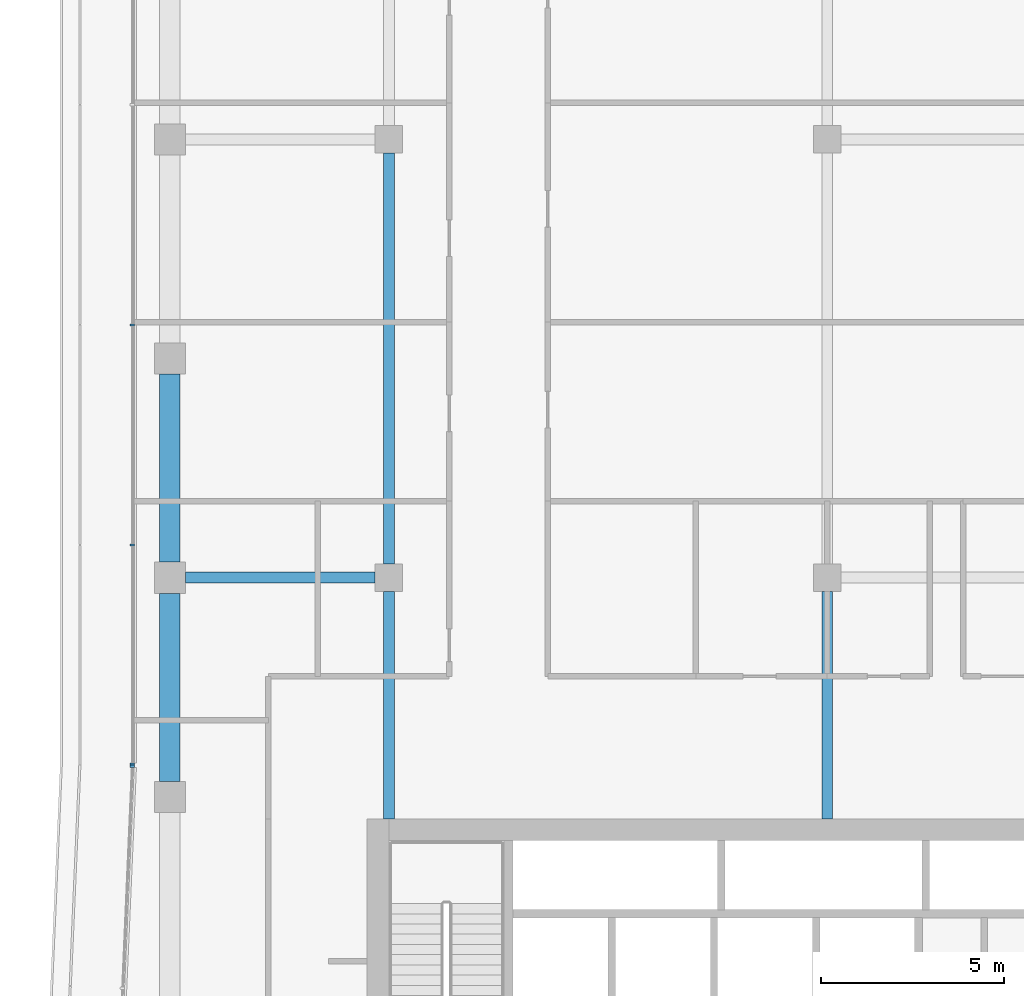
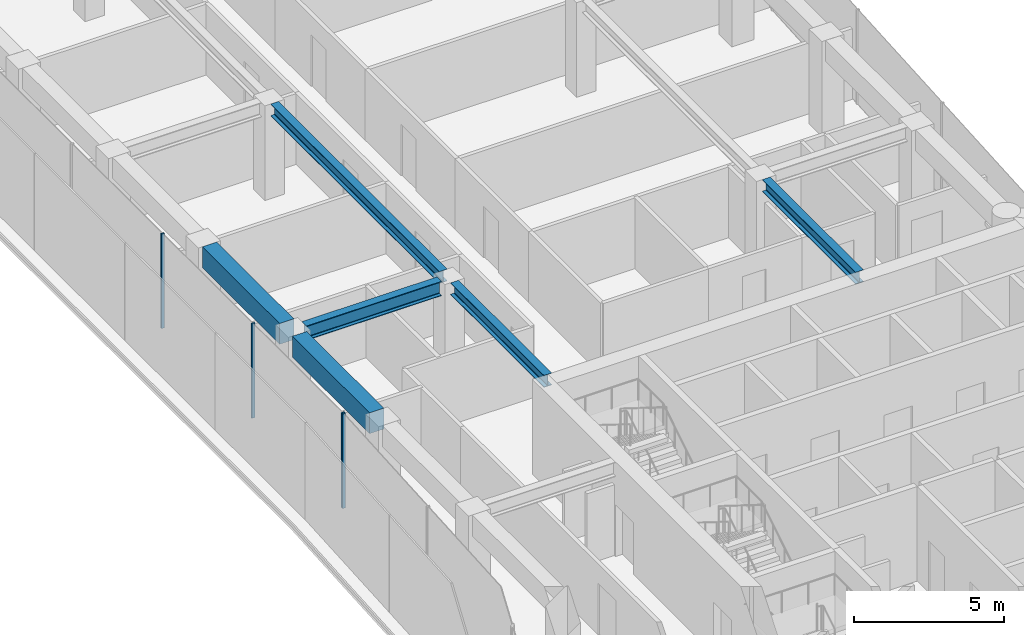
# One storey, part 7 of 21: 6 beams, 4 members, 2 elements without a shape of their own.
"""IFC4 building model written with IfcOpenShell, lengths in metres."""

import ifcopenshell
import ifcopenshell.guid

model = None  # the IFC model being written
_history = None  # IfcOwnerHistory: only IFC2X3 demands one
_inside = {}  # id of a spatial element -> (the spatial element, [elements in it])
_under = {}  # id of a project, library or spatial element -> (it, [spatial elements below it])
_declared = {}  # id of a project -> (the project, [libraries it declares])
_typed = {}  # id of a type object -> (the type object, [elements of that type])
_made_of = {}  # id of a material, layer set ... -> (it, [elements and type objects made of it])


def new_model(schema):
    """Start an empty IFC model of exactly this schema.

    Asked for "IFC4X3", IfcOpenShell would pick the latest addendum, in which some entities
    have other attributes; the version numbers below select the first issue.
    IFC2X3 requires an IfcOwnerHistory on every rooted entity: one is made here for all.
    """
    global model, _history
    if schema == "IFC4X3":
        model = ifcopenshell.file(schema_version=(4, 3, 0, 0))
    else:
        model = ifcopenshell.file(schema=schema)
    _inside.clear()
    _under.clear()
    _declared.clear()
    _typed.clear()
    _made_of.clear()
    _history = None
    if model.schema == "IFC2X3":
        org = make("IfcOrganization", Name="unknown")
        user = make(
            "IfcPersonAndOrganization",
            ThePerson=make("IfcPerson", FamilyName="unknown"),
            TheOrganization=org,
        )
        app = make(
            "IfcApplication",
            ApplicationDeveloper=org,
            Version="unknown",
            ApplicationFullName="unknown",
            ApplicationIdentifier="unknown",
        )
        _history = make(
            "IfcOwnerHistory",
            OwningUser=user,
            OwningApplication=app,
            ChangeAction="ADDED",
            CreationDate=0,
        )
    return model


def make(cls, **values):
    """One entity of the class cls with the attributes given. An attribute that is None is left unset."""
    return model.create_entity(
        cls, **{name: value for name, value in values.items() if value is not None}
    )


def rooted(cls, **values):
    """An entity with a GlobalId (a new one), such as an element, a storey or a relation."""
    return make(cls, GlobalId=ifcopenshell.guid.new(), OwnerHistory=_history, **values)


def si_unit(unit_type, name, prefix=None):
    """IfcSIUnit, for example si_unit("LENGTHUNIT", "METRE", prefix="MILLI")."""
    return make("IfcSIUnit", UnitType=unit_type, Prefix=prefix, Name=name)


def assignment(units):
    """IfcUnitAssignment: the units of a project."""
    return None if units is None else make("IfcUnitAssignment", Units=units)


def point(xyz):
    """IfcCartesianPoint."""
    return None if xyz is None else make("IfcCartesianPoint", Coordinates=xyz)


def direction(xyz):
    """IfcDirection."""
    return None if xyz is None else make("IfcDirection", DirectionRatios=xyz)


def frame(location, z_axis=None, x_axis=None):
    """IfcAxis2Placement3D, a coordinate frame: its origin and axes. An axis left out is left unset."""
    return make(
        "IfcAxis2Placement3D",
        Location=point(location),
        Axis=direction(z_axis),
        RefDirection=direction(x_axis),
    )


def frame_2d(location, x_axis=None):
    """IfcAxis2Placement2D, a coordinate frame in the plane: its origin and x axis."""
    return make(
        "IfcAxis2Placement2D", Location=point(location), RefDirection=direction(x_axis)
    )


def origin():
    """The frame at (0, 0, 0) with its axes left unset."""
    return frame((0.0, 0.0, 0.0))


def origin_2d():
    """The frame at (0, 0) in the plane with its x axis left unset."""
    return frame_2d((0.0, 0.0))


def place(relative_to, where):
    """IfcLocalPlacement: puts the frame where relative to a parent placement (None: the world)."""
    return make(
        "IfcLocalPlacement", PlacementRelTo=relative_to, RelativePlacement=where
    )


def context(
    kind, dimensions, precision=None, world=None, true_north=None, identifier=None
):
    """IfcGeometricRepresentationContext, for example the 3D "Model" context."""
    return make(
        "IfcGeometricRepresentationContext",
        ContextIdentifier=identifier,
        ContextType=kind,
        CoordinateSpaceDimension=dimensions,
        Precision=precision,
        WorldCoordinateSystem=world,
        TrueNorth=true_north,
    )


def subcontext(parent, identifier, kind, view, scale=None):
    """IfcGeometricRepresentationSubContext, for example "Body" below "Model"."""
    return make(
        "IfcGeometricRepresentationSubContext",
        ContextIdentifier=identifier,
        ContextType=kind,
        ParentContext=parent,
        TargetScale=scale,
        TargetView=view,
    )


def project(units=None, contexts=None):
    """IfcProject with its units and contexts."""
    return rooted(
        "IfcProject",
        Name="project",
        RepresentationContexts=contexts,
        UnitsInContext=assignment(units),
    )


def spatial(cls, under=None, at=None, **own):
    """A site, building, storey or space (cls), placed at a placement, below another one or the project."""
    s = rooted(cls, ObjectPlacement=at, **own)
    if under is not None:
        _under.setdefault(under.id(), (under, []))[1].append(s)
    return s


def profile(cls, at=None, kind="AREA", **sizes):
    """A parametric profile (cls). Its sizes go by their IFC names, for example OverallWidth=200.0."""
    return make(cls, ProfileType=kind, Position=at, **sizes)


def rectangle(**sizes):
    """IfcRectangleProfileDef."""
    return profile("IfcRectangleProfileDef", **sizes)


def i_section(**sizes):
    """IfcIShapeProfileDef."""
    return profile("IfcIShapeProfileDef", **sizes)


def extrude(swept, where, along, depth):
    """IfcExtrudedAreaSolid: the profile swept, set in the frame where, extruded along a direction by depth."""
    return make(
        "IfcExtrudedAreaSolid",
        SweptArea=swept,
        Position=where,
        ExtrudedDirection=direction(along),
        Depth=depth,
    )


def shape(context_of_items, identifier, shape_type, items):
    """IfcShapeRepresentation: the items that make up one representation, for example the "Body"."""
    return make(
        "IfcShapeRepresentation",
        ContextOfItems=context_of_items,
        RepresentationIdentifier=identifier,
        RepresentationType=shape_type,
        Items=items,
    )


def material(Name=None, Category=None):
    """IfcMaterial."""
    return make("IfcMaterial", Name=Name, Category=Category)


def layer(
    of_material, thickness, ventilated=None, Name=None, Category=None, Priority=None
):
    """IfcMaterialLayer: one layer of a wall or slab, of a material (None: an air gap)."""
    return make(
        "IfcMaterialLayer",
        Material=of_material,
        LayerThickness=thickness,
        IsVentilated=ventilated,
        Name=Name,
        Category=Category,
        Priority=Priority,
    )


def layer_set(layers, Name=None):
    """IfcMaterialLayerSet."""
    return make("IfcMaterialLayerSet", MaterialLayers=layers, LayerSetName=Name)


def material_profile(
    of_material, cross_section, Name=None, Category=None, Priority=None
):
    """IfcMaterialProfile: a cross section and its material."""
    return make(
        "IfcMaterialProfile",
        Name=Name,
        Material=of_material,
        Profile=cross_section,
        Priority=Priority,
        Category=Category,
    )


def profile_set(profiles, Name=None, composite=None):
    """IfcMaterialProfileSet."""
    return make(
        "IfcMaterialProfileSet",
        Name=Name,
        MaterialProfiles=profiles,
        CompositeProfile=composite,
    )


def made_of(thing, what):
    """Note that an element or type object is made of a material, layer set ...; save() writes the relation."""
    if what is not None:
        _made_of.setdefault(what.id(), (what, []))[1].append(thing)
    return thing


def type_object(cls, material=None, **own):
    """A type object (cls), such as IfcWallType, which elements share."""
    return made_of(rooted(cls, **own), material)


def element(
    cls,
    number,
    at=None,
    inside=None,
    cuts=None,
    type_object=None,
    material=None,
    context=None,
    identifier="Body",
    shape_type=None,
    held_by="IfcProductDefinitionShape",
    body=None,
    shapes=None,
    **own,
):
    """One element of the class cls, such as IfcWall. Its Tag is "e" and its number.

    at: its placement. inside: the storey or other place that contains it. cuts: it is an
    opening in that element (IfcRelVoidsElement). A single representation is given by context,
    identifier, shape_type and body (its items); several are given by shapes. held_by: the class
    of the entity that holds the representations. save() writes the other relations.
    """
    e = rooted(cls, Tag="e%d" % number, ObjectPlacement=at, **own)
    if body is not None:
        shapes = [shape(context, identifier, shape_type, body)]
    if shapes is not None:
        e.Representation = make(held_by, Representations=shapes)
    if inside is not None:
        _inside.setdefault(inside.id(), (inside, []))[1].append(e)
    if cuts is not None:
        rooted(
            "IfcRelVoidsElement", RelatingBuildingElement=cuts, RelatedOpeningElement=e
        )
    if type_object is not None:
        _typed.setdefault(type_object.id(), (type_object, []))[1].append(e)
    return made_of(e, material)


def aggregate(whole, parts):
    """IfcRelAggregates: a whole, such as a stair, and the parts it consists of."""
    return rooted("IfcRelAggregates", RelatingObject=whole, RelatedObjects=parts)


def save(model, path):
    """Write the relations noted so far, then the file.

    IfcRelAggregates (storeys below a building ...), IfcRelContainedInSpatialStructure (elements
    in a storey), IfcRelDefinesByType, IfcRelAssociatesMaterial and IfcRelDeclares: one each for
    every whole, place, type object, material and project.
    """
    for whole, parts in _under.values():
        aggregate(whole, parts)
    for where, things in _inside.values():
        rooted(
            "IfcRelContainedInSpatialStructure",
            RelatedElements=things,
            RelatingStructure=where,
        )
    for kind, things in _typed.values():
        rooted("IfcRelDefinesByType", RelatedObjects=things, RelatingType=kind)
    for what, things in _made_of.values():
        rooted("IfcRelAssociatesMaterial", RelatedObjects=things, RelatingMaterial=what)
    for by, libraries in _declared.values():
        rooted("IfcRelDeclares", RelatingContext=by, RelatedDefinitions=libraries)
    model.write(path)


model = new_model("IFC4")

# Units and contexts
model_context = context("Model", 3, precision=1e-05, world=origin(), true_north=direction((0.0, 1.0)))
body_context = subcontext(model_context, "Body", "Model", "MODEL_VIEW")
ifc_project = project(units=[si_unit("LENGTHUNIT", "METRE"), si_unit("AREAUNIT", "SQUARE_METRE"), si_unit("VOLUMEUNIT", "CUBIC_METRE"), si_unit("PLANEANGLEUNIT", "RADIAN"), si_unit("MASSUNIT", "GRAM", prefix="KILO")], contexts=[model_context])

# Site, building, storey
site_placement = place(None, origin())
site = spatial("IfcSite", under=ifc_project, at=site_placement, CompositionType="ELEMENT")
building_placement = place(site_placement, origin())
building = spatial("IfcBuilding", under=site, at=building_placement, Name="Welwitschia Terrace Campus", CompositionType="ELEMENT")
storey_placement = place(building_placement, frame((0.0, 0.0, 159.199951171875)))
storey = spatial("IfcBuildingStorey", under=building, at=storey_placement, Name="L35", CompositionType="ELEMENT", Elevation=159.199951171875)

# Beams
ifc_material_1 = material(Name="Steel S355", Category="steel")
ifc_material_profile_1 = material_profile(ifc_material_1, i_section(OverallWidth=0.300048828125, OverallDepth=0.489990234375, WebThickness=0.011962890625, FlangeThickness=0.02294921875, FilletRadius=0.027099609375, at=origin_2d()))
ifc_profile_set_1 = profile_set([ifc_material_profile_1], Name="Steel S355")
beam_type_1 = type_object("IfcBeamType", Name="Interior girder HE 500 A", PredefinedType="BEAM", material=ifc_profile_set_1)
beam_1_placement = place(storey_placement, frame((6.0, 25.40087890625, 3.60498046875), z_axis=(0.0, 1.0, 0.0), x_axis=(-1.0, 0.0, 0.0)))
element("IfcBeam", 1, at=beam_1_placement, inside=storey, type_object=beam_type_1, Name="Girder GB4", PredefinedType="BEAM", context=body_context, shape_type="SweptSolid", body=[
    extrude(i_section(OverallWidth=0.300048828125, OverallDepth=0.489990234375, WebThickness=0.011962890625, FlangeThickness=0.02294921875, FilletRadius=0.027099609375, at=origin_2d()), origin(), (0.0, 0.0, 1.0), 6.2236328125),
])
beam_2_placement = place(storey_placement, frame((6.0, 32.37548828125, 3.60498046875), z_axis=(0.0, 1.0, 0.0), x_axis=(-1.0, 0.0, 0.0)))
element("IfcBeam", 2, at=beam_2_placement, inside=storey, type_object=beam_type_1, Name="Girder GB4", PredefinedType="BEAM", context=body_context, shape_type="SweptSolid", body=[
    extrude(i_section(OverallWidth=0.300048828125, OverallDepth=0.489990234375, WebThickness=0.011962890625, FlangeThickness=0.02294921875, FilletRadius=0.027099609375, at=origin_2d()), origin(), (0.0, 0.0, 1.0), 11.2490234375),
])
beam_3_placement = place(storey_placement, frame((18.0, 25.40087890625, 3.60498046875), z_axis=(0.0, 1.0, 0.0), x_axis=(-1.0, 0.0, 0.0)))
element("IfcBeam", 3, at=beam_3_placement, inside=storey, type_object=beam_type_1, Name="Girder GB4", PredefinedType="BEAM", context=body_context, shape_type="SweptSolid", body=[
    extrude(i_section(OverallWidth=0.300048828125, OverallDepth=0.489990234375, WebThickness=0.011962890625, FlangeThickness=0.02294921875, FilletRadius=0.027099609375, at=origin_2d()), origin(), (0.0, 0.0, 1.0), 6.2236328125),
])

# Curtain wall, member
ifc_material_2 = material(Name="Bronze anodised aluminium", Category="aluminium")
ifc_layer = layer(ifc_material_2, 0.1201171875)
ifc_layer_set = layer_set([ifc_layer], Name="Bronze anodised aluminium")
curtain_wall_type = type_object("IfcCurtainWallType", Name="Curtain wall CW2 tower 6000", PredefinedType="NOTDEFINED", material=ifc_layer_set)
curtain_wall_1_placement = place(storey_placement, origin())
curtain_wall_1 = element("IfcCurtainWall", 4, at=curtain_wall_1_placement, inside=storey, type_object=curtain_wall_type, Name="CW L35.0.0", PredefinedType="NOTDEFINED")
ifc_material_3 = material(Name="Bronze anodised aluminium", Category="aluminium")
ifc_material_profile_2 = material_profile(ifc_material_3, rectangle(XDim=0.1201171875, YDim=0.06005859375, at=origin_2d()))
ifc_profile_set_2 = profile_set([ifc_material_profile_2], Name="Bronze anodised aluminium")
member_type = type_object("IfcMemberType", Name="Mullion 60x120", PredefinedType="MULLION", material=ifc_profile_set_2)
member_1_placement = place(storey_placement, frame((-1.03125, 26.839111328125, 0.0), z_axis=(0.0, 0.0, 1.0), x_axis=(0.999048221582, -0.043619387365, 0.0)))
member_1 = element("IfcMember", 5, at=member_1_placement, type_object=member_type, Name="Mullion L35.0.0.0", PredefinedType="MULLION", context=body_context, shape_type="SweptSolid", body=[
    extrude(rectangle(XDim=0.1201171875, YDim=0.06005859375, at=origin_2d()), origin(), (0.0, 0.0, 1.0), 3.85009765625),
])
aggregate(curtain_wall_1, [member_1])

# Curtain wall, members
curtain_wall_2_placement = place(storey_placement, origin())
curtain_wall_2 = element("IfcCurtainWall", 6, at=curtain_wall_2_placement, inside=storey, type_object=curtain_wall_type, Name="CW L35.11.0", PredefinedType="NOTDEFINED")
member_2_placement = place(storey_placement, frame((-1.030029296875, 38.9228515625, 0.0), z_axis=(0.0, 0.0, 1.0), x_axis=(1.0, 0.0, 0.0)))
member_2 = element("IfcMember", 7, at=member_2_placement, type_object=member_type, Name="Mullion L35.11.0.4", PredefinedType="MULLION", context=body_context, shape_type="SweptSolid", body=[
    extrude(rectangle(XDim=0.1201171875, YDim=0.06005859375, at=origin_2d()), origin(), (0.0, 0.0, 1.0), 3.85009765625),
])
member_3_placement = place(storey_placement, frame((-1.030029296875, 32.89599609375, 0.0), z_axis=(0.0, 0.0, 1.0), x_axis=(1.0, 0.0, 0.0)))
member_3 = element("IfcMember", 8, at=member_3_placement, type_object=member_type, Name="Mullion L35.11.0.5", PredefinedType="MULLION", context=body_context, shape_type="SweptSolid", body=[
    extrude(rectangle(XDim=0.1201171875, YDim=0.06005859375, at=origin_2d()), origin(), (0.0, 0.0, 1.0), 3.85009765625),
])
member_4_placement = place(storey_placement, frame((-1.030029296875, 26.899169921875, 0.0), z_axis=(0.0, 0.0, 1.0), x_axis=(1.0, 0.0, 0.0)))
member_4 = element("IfcMember", 9, at=member_4_placement, type_object=member_type, Name="Mullion L35.11.0.6", PredefinedType="MULLION", context=body_context, shape_type="SweptSolid", body=[
    extrude(rectangle(XDim=0.1201171875, YDim=0.06005859375, at=origin_2d()), origin(), (0.0, 0.0, 1.0), 3.85009765625),
])
aggregate(curtain_wall_2, [member_2, member_3, member_4])

# Beams
ifc_material_4 = material(Name="Steel S355", Category="steel")
ifc_material_profile_3 = material_profile(ifc_material_4, i_section(OverallWidth=0.300048828125, OverallDepth=0.590087890625, WebThickness=0.012939453125, FlangeThickness=0.02490234375, FilletRadius=0.027099609375, at=origin_2d()))
ifc_profile_set_3 = profile_set([ifc_material_profile_3], Name="Steel S355")
beam_type_2 = type_object("IfcBeamType", Name="Primary beam HE 600 A", PredefinedType="BEAM", material=ifc_profile_set_3)
beam_4_placement = place(storey_placement, frame((0.425537109375, 32.0, 3.554931640625), z_axis=(1.0, 0.0, 0.0), x_axis=(0.0, 1.0, 0.0)))
element("IfcBeam", 10, at=beam_4_placement, inside=storey, type_object=beam_type_2, Name="Primary beam PB4", PredefinedType="BEAM", context=body_context, shape_type="SweptSolid", body=[
    extrude(i_section(OverallWidth=0.300048828125, OverallDepth=0.590087890625, WebThickness=0.012939453125, FlangeThickness=0.02490234375, FilletRadius=0.027099609375, at=origin_2d()), origin(), (0.0, 0.0, 1.0), 5.198974609375),
])
ifc_material_5 = material(Name="Concrete C50/60", Category="concrete")
ifc_material_profile_4 = material_profile(ifc_material_5, rectangle(XDim=0.550048828125, YDim=0.85009765625, at=origin_2d()))
ifc_profile_set_4 = profile_set([ifc_material_profile_4], Name="Concrete C50/60")
beam_type_3 = type_object("IfcBeamType", Name="Ring spandrel 550x850", PredefinedType="SPANDREL", material=ifc_profile_set_4)
for number, where, z_axis, x_axis, name in (
    (11, (0.0, 37.574462890625, 3.425048828125), (0.0, -1.0, 0.0), (1.0, 0.0, 0.0), "Spandrel SP3"),
    (12, (0.0, 31.574462890625, 3.425048828125), (0.0, -1.0, 0.0), (1.0, 0.0, 0.0), "Spandrel SP3"),
):
    element("IfcBeam", number, at=place(storey_placement, frame(where, z_axis=z_axis, x_axis=x_axis)), inside=storey, type_object=beam_type_3, Name=name, PredefinedType="SPANDREL", context=body_context, shape_type="SweptSolid", body=[
        extrude(rectangle(XDim=0.550048828125, YDim=0.85009765625, at=origin_2d()), origin(), (0.0, 0.0, 1.0), 5.14892578125),
    ])

save(model, "model.ifc")
